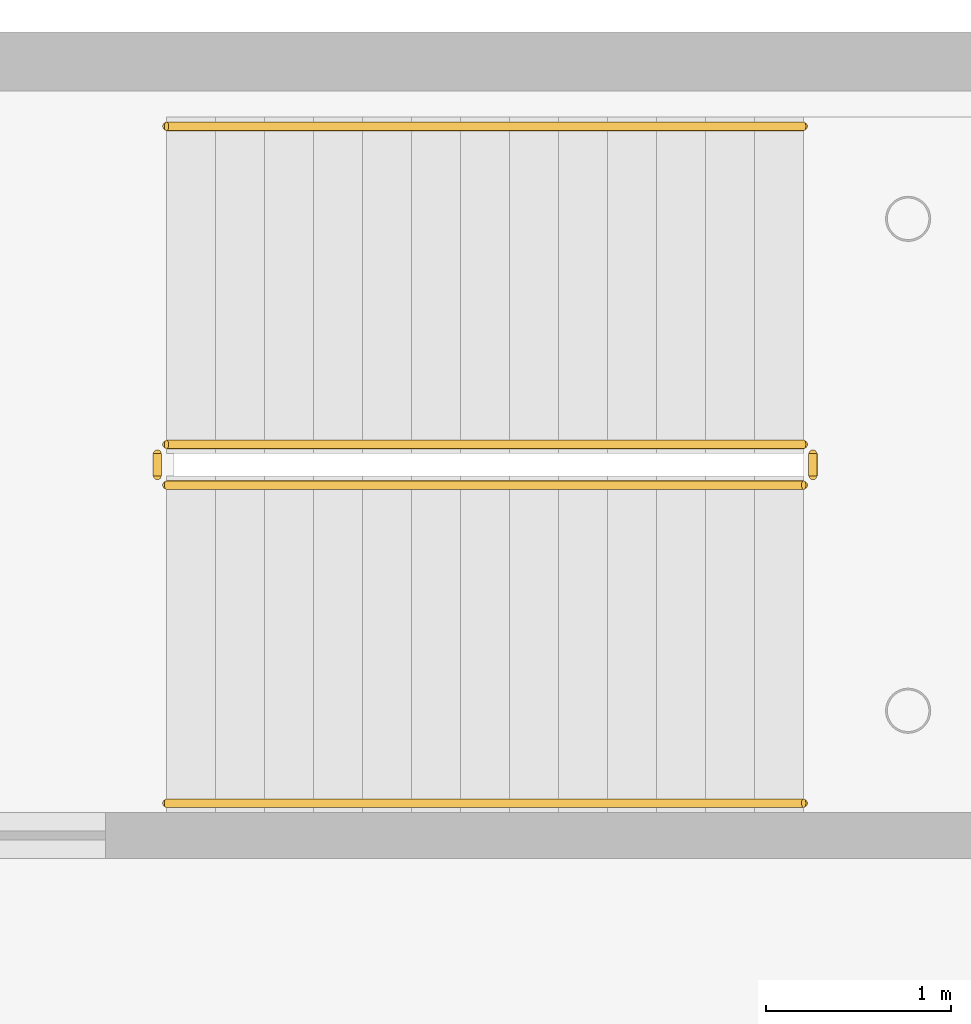
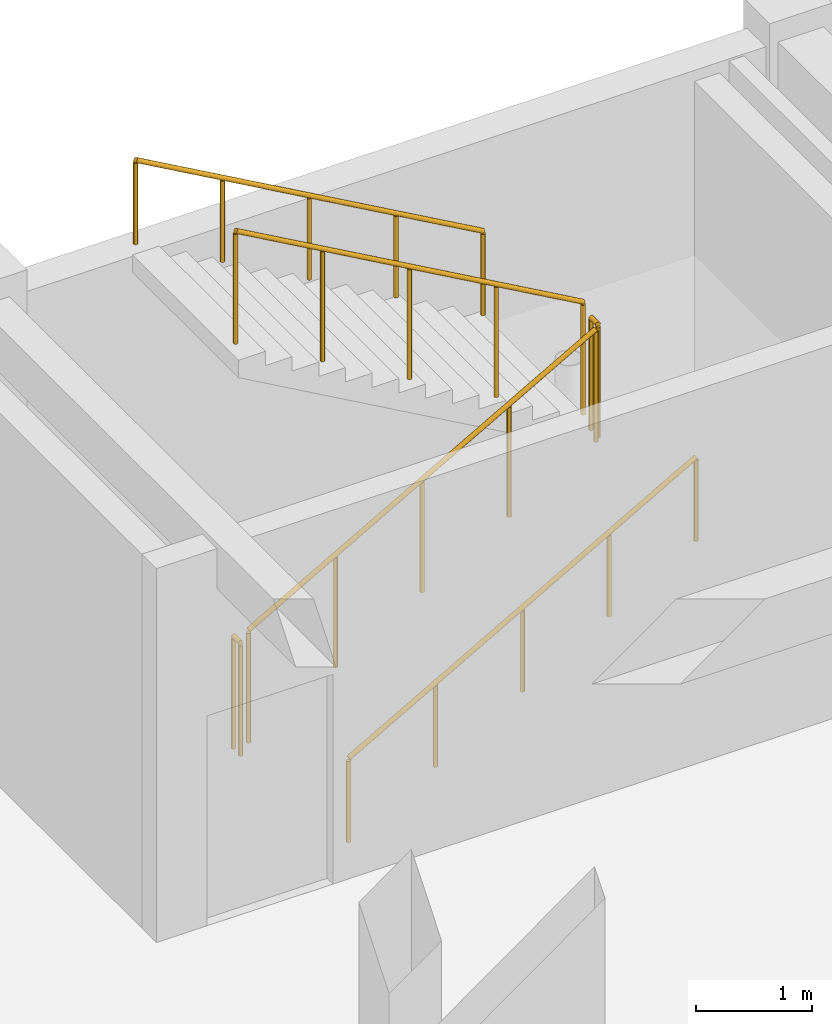
# One storey, part 18 of 19: 6 railings.
"""IFC4 building model written with IfcOpenShell, lengths in metres."""

from ifc_helpers import new_model, si_unit, direction, frame, origin, origin_2d, place, context, subcontext, project, spatial, circle, extrude, material, type_object, element, save


model = new_model("IFC4")

# Units and contexts
model_context = context("Model", 3, precision=1e-05, world=origin(), true_north=direction((0.0, 1.0)))
body_context = subcontext(model_context, "Body", "Model", "MODEL_VIEW")
ifc_project = project(units=[si_unit("LENGTHUNIT", "METRE"), si_unit("AREAUNIT", "SQUARE_METRE"), si_unit("VOLUMEUNIT", "CUBIC_METRE"), si_unit("PLANEANGLEUNIT", "RADIAN"), si_unit("MASSUNIT", "GRAM", prefix="KILO")], contexts=[model_context])

# Site, building, storey
site_placement = place(None, origin())
site = spatial("IfcSite", under=ifc_project, at=site_placement, CompositionType="ELEMENT")
building_placement = place(site_placement, origin())
building = spatial("IfcBuilding", under=site, at=building_placement, Name="Kharva Crest Polytechnic", CompositionType="ELEMENT")
storey_placement = place(building_placement, frame((0.0, 0.0, 21.60009765625)))
storey = spatial("IfcBuildingStorey", under=building, at=storey_placement, Name="L05", CompositionType="ELEMENT", Elevation=21.60009765625)

# Railings
ifc_material_1 = material(Name="Anodised aluminium", Category="aluminium")
railing_type_1 = type_object("IfcRailingType", Name="RL-STAIR-GUARD-1200", PredefinedType="GUARDRAIL", material=ifc_material_1)
railing_1_placement = place(storey_placement, frame((146.1298828125, 119.7099609375, 0.14990234375)))
element("IfcRailing", 1, at=railing_1_placement, inside=storey, type_object=railing_type_1, Name="L05 ST-09 stair guard 1", PredefinedType="GUARDRAIL", context=body_context, shape_type="SweptSolid", body=[
    extrude(circle(Radius=0.02392578125, at=origin_2d()), frame((0.0, 0.0, 1.17578125), z_axis=(0.870266332817, 0.0, 0.492581475459), x_axis=(0.0, 1.0, 0.0)), (0.0, 0.0, 1.0), 3.958740234375),
    extrude(circle(Radius=0.02099609375, at=origin_2d()), origin(), (0.0, 0.0, 1.0), 1.15185546875),
    extrude(circle(Radius=0.02099609375, at=origin_2d()), frame((0.861328125, 0.0, 0.487548828125)), (0.0, 0.0, 1.0), 1.15185546875),
    extrude(circle(Radius=0.02099609375, at=origin_2d()), frame((1.72265625, 0.0, 0.97509765625)), (0.0, 0.0, 1.0), 1.15185546875),
    extrude(circle(Radius=0.02099609375, at=origin_2d()), frame((2.583740234375, 0.0, 1.46240234375)), (0.0, 0.0, 1.0), 1.15185546875),
    extrude(circle(Radius=0.02099609375, at=origin_2d()), frame((3.445068359375, 0.0, 1.949951171875)), (0.0, 0.0, 1.0), 1.15185546875),
])
railing_2_placement = place(storey_placement, frame((149.625, 119.760009765625, 2.099853515625)))
element("IfcRailing", 2, at=railing_2_placement, inside=storey, type_object=railing_type_1, Name="L05 ST-09 stair guard 2", PredefinedType="GUARDRAIL", context=body_context, shape_type="SweptSolid", body=[
    extrude(circle(Radius=0.02392578125, at=origin_2d()), frame((0.0, 0.0, 1.17578125), z_axis=(0.0, 1.0, 0.0), x_axis=(-1.0, 0.0, 0.0)), (0.0, 0.0, 1.0), 0.119873046875),
    extrude(circle(Radius=0.02099609375, at=origin_2d()), origin(), (0.0, 0.0, 1.0), 1.15185546875),
    extrude(circle(Radius=0.02099609375, at=origin_2d()), frame((0.0, 0.119873046875, 0.0)), (0.0, 0.0, 1.0), 1.15185546875),
])
railing_3_placement = place(storey_placement, frame((149.574951171875, 119.929931640625, 2.25)))
element("IfcRailing", 3, at=railing_3_placement, inside=storey, type_object=railing_type_1, Name="L05 ST-09 stair guard 3", PredefinedType="GUARDRAIL", context=body_context, shape_type="SweptSolid", body=[
    extrude(circle(Radius=0.02392578125, at=origin_2d()), frame((0.0, 0.0, 1.17578125), z_axis=(-0.870266332817, 0.0, 0.492581475459), x_axis=(0.0, -1.0, 0.0)), (0.0, 0.0, 1.0), 3.958740234375),
    extrude(circle(Radius=0.02099609375, at=origin_2d()), origin(), (0.0, 0.0, 1.0), 1.15185546875),
    extrude(circle(Radius=0.02099609375, at=origin_2d()), frame((-0.861328125, 0.0, 0.487548828125)), (0.0, 0.0, 1.0), 1.15185546875),
    extrude(circle(Radius=0.02099609375, at=origin_2d()), frame((-1.72265625, 0.0, 0.97509765625)), (0.0, 0.0, 1.0), 1.15185546875),
    extrude(circle(Radius=0.02099609375, at=origin_2d()), frame((-2.583740234375, 0.0, 1.46240234375)), (0.0, 0.0, 1.0), 1.15185546875),
    extrude(circle(Radius=0.02099609375, at=origin_2d()), frame((-3.445068359375, 0.0, 1.949951171875)), (0.0, 0.0, 1.0), 1.15185546875),
])
railing_4_placement = place(storey_placement, frame((146.080078125, 119.760009765625, 0.0)))
element("IfcRailing", 4, at=railing_4_placement, inside=storey, type_object=railing_type_1, Name="L05 ST-09 stair guard 4", PredefinedType="GUARDRAIL", context=body_context, shape_type="SweptSolid", body=[
    extrude(circle(Radius=0.02392578125, at=origin_2d()), frame((0.0, 0.0, 1.17578125), z_axis=(0.0, 1.0, 0.0), x_axis=(-1.0, 0.0, 0.0)), (0.0, 0.0, 1.0), 0.119873046875),
    extrude(circle(Radius=0.02099609375, at=origin_2d()), origin(), (0.0, 0.0, 1.0), 1.15185546875),
    extrude(circle(Radius=0.02099609375, at=origin_2d()), frame((0.0, 0.119873046875, 0.0)), (0.0, 0.0, 1.0), 1.15185546875),
])
ifc_material_2 = material(Name="Teak timber", Category="wood")
railing_type_2 = type_object("IfcRailingType", Name="RL-STAIR-HAND-900", PredefinedType="HANDRAIL", material=ifc_material_2)
railing_5_placement = place(storey_placement, frame((146.1298828125, 117.989990234375, 0.14990234375)))
element("IfcRailing", 5, at=railing_5_placement, inside=storey, type_object=railing_type_2, Name="L05 ST-09 stair handrail 1", PredefinedType="HANDRAIL", context=body_context, shape_type="SweptSolid", body=[
    extrude(circle(Radius=0.02392578125, at=origin_2d()), frame((0.0, 0.0, 0.8759765625), z_axis=(0.870266332817, 0.0, 0.492581475459), x_axis=(0.0, 1.0, 0.0)), (0.0, 0.0, 1.0), 3.958740234375),
    extrude(circle(Radius=0.02099609375, at=origin_2d()), origin(), (0.0, 0.0, 1.0), 0.851806640625),
    extrude(circle(Radius=0.02099609375, at=origin_2d()), frame((0.861328125, 0.0, 0.487548828125)), (0.0, 0.0, 1.0), 0.851806640625),
    extrude(circle(Radius=0.02099609375, at=origin_2d()), frame((1.72265625, 0.0, 0.97509765625)), (0.0, 0.0, 1.0), 0.851806640625),
    extrude(circle(Radius=0.02099609375, at=origin_2d()), frame((2.583740234375, 0.0, 1.46240234375)), (0.0, 0.0, 1.0), 0.851806640625),
    extrude(circle(Radius=0.02099609375, at=origin_2d()), frame((3.445068359375, 0.0, 1.949951171875)), (0.0, 0.0, 1.0), 0.851806640625),
])
railing_6_placement = place(storey_placement, frame((149.574951171875, 121.64990234375, 2.25)))
element("IfcRailing", 6, at=railing_6_placement, inside=storey, type_object=railing_type_2, Name="L05 ST-09 stair handrail 2", PredefinedType="HANDRAIL", context=body_context, shape_type="SweptSolid", body=[
    extrude(circle(Radius=0.02392578125, at=origin_2d()), frame((0.0, 0.0, 0.8759765625), z_axis=(-0.870266332817, 0.0, 0.492581475459), x_axis=(0.0, -1.0, 0.0)), (0.0, 0.0, 1.0), 3.958740234375),
    extrude(circle(Radius=0.02099609375, at=origin_2d()), origin(), (0.0, 0.0, 1.0), 0.851806640625),
    extrude(circle(Radius=0.02099609375, at=origin_2d()), frame((-0.861328125, 0.0, 0.487548828125)), (0.0, 0.0, 1.0), 0.851806640625),
    extrude(circle(Radius=0.02099609375, at=origin_2d()), frame((-1.72265625, 0.0, 0.97509765625)), (0.0, 0.0, 1.0), 0.851806640625),
    extrude(circle(Radius=0.02099609375, at=origin_2d()), frame((-2.583740234375, 0.0, 1.46240234375)), (0.0, 0.0, 1.0), 0.851806640625),
    extrude(circle(Radius=0.02099609375, at=origin_2d()), frame((-3.445068359375, 0.0, 1.949951171875)), (0.0, 0.0, 1.0), 0.851806640625),
])

save(model, "model.ifc")
